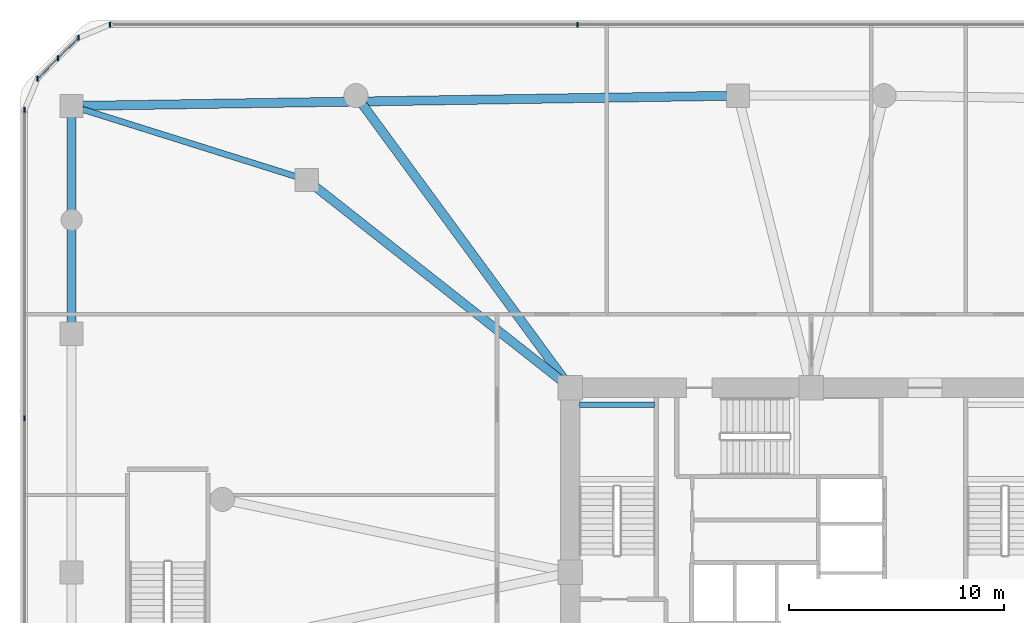
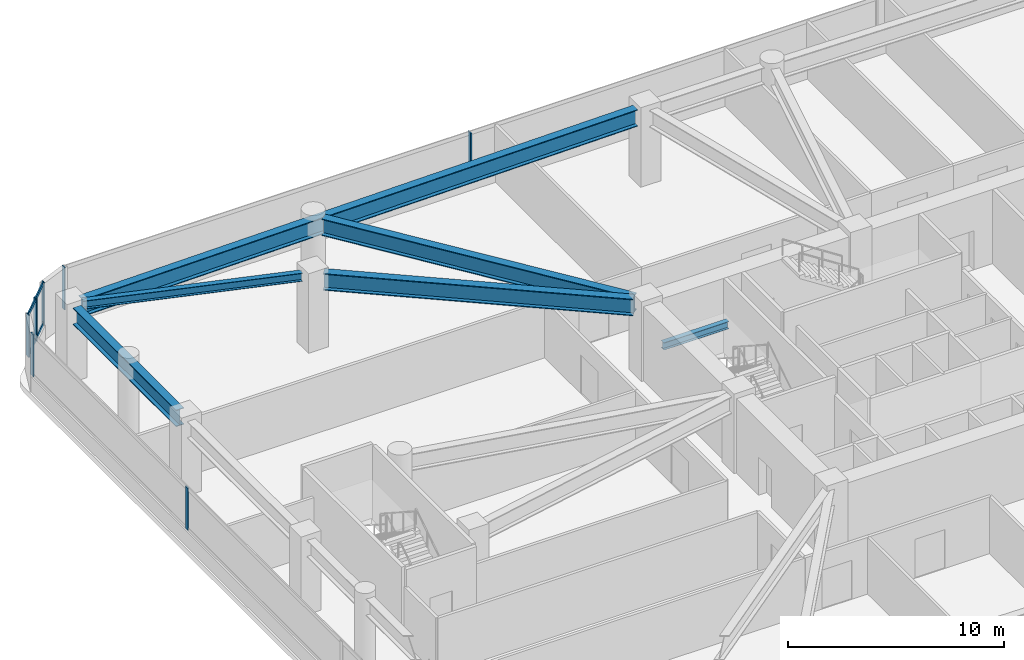
# One storey, part 6 of 21: 9 members, 6 beams, 3 elements without a shape of their own.
"""IFC4 building model written with IfcOpenShell, lengths in metres."""

from ifc_helpers import new_model, si_unit, derived_unit, direction, frame, origin, origin_2d, place, context, subcontext, project, spatial, rectangle, i_section, extrude, material, material_profile, profile_set, type_object, element, aggregate, save


model = new_model("IFC4")

# Units and contexts
model_context = context("Model", 3, precision=1e-05, world=origin(), true_north=direction((0.0, 1.0)))
body_context = subcontext(model_context, "Body", "Model", "MODEL_VIEW")
ifc_project = project(units=[si_unit("LENGTHUNIT", "METRE"), si_unit("AREAUNIT", "SQUARE_METRE"), si_unit("VOLUMEUNIT", "CUBIC_METRE"), si_unit("PLANEANGLEUNIT", "RADIAN"), si_unit("MASSUNIT", "GRAM", prefix="KILO"), derived_unit("THERMALTRANSMITTANCEUNIT", [(si_unit("POWERUNIT", "WATT"), 1), (si_unit("LENGTHUNIT", "METRE"), -2), (si_unit("THERMODYNAMICTEMPERATUREUNIT", "KELVIN"), -1)])], contexts=[model_context])

# Site, building, storey
site_placement = place(None, origin())
site = spatial("IfcSite", under=ifc_project, at=site_placement, CompositionType="ELEMENT")
building_placement = place(site_placement, origin())
building = spatial("IfcBuilding", under=site, at=building_placement, Name="Koralith Skygarden Medical Center", CompositionType="ELEMENT")
storey_placement = place(building_placement, frame((0.0, 0.0, 5.39990234375)))
storey = spatial("IfcBuildingStorey", under=building, at=storey_placement, Name="L01", CompositionType="ELEMENT", Elevation=5.39990234375)

# Curtain wall, members
ifc_material_1 = material(Name="Clear Laminated Glass", Category="glass")
curtain_wall_type = type_object("IfcCurtainWallType", Name="CW-1 Transit & Podium Acoustic Curtain Wall", PredefinedType="NOTDEFINED", material=ifc_material_1)
curtain_wall_1_placement = place(storey_placement, origin())
curtain_wall_1 = element("IfcCurtainWall", 1, at=curtain_wall_1_placement, inside=storey, type_object=curtain_wall_type, Name="Curtain Wall CW-L01-N", PredefinedType="NOTDEFINED")
ifc_material_2 = material(Name="Aluminium 6063-T6", Category="aluminium")
ifc_material_profile_1 = material_profile(ifc_material_2, rectangle(XDim=0.068115234375, YDim=0.239990234375, at=origin_2d()), Name="MUL68X240")
ifc_profile_set_1 = profile_set([ifc_material_profile_1], Name="Aluminium 6063-T6")
member_type_1 = type_object("IfcMemberType", Name="CW-1 Extruded Mullion 68x240", PredefinedType="MULLION", material=ifc_profile_set_1)
member_1_placement = place(storey_placement, frame((26.1259765625, 51.3798828125, 0.85009765625), z_axis=(0.0, 0.0, 1.0), x_axis=(1.0, 0.0, 0.0)))
member_1 = element("IfcMember", 2, at=member_1_placement, type_object=member_type_1, Name="CW-L01-N Mullion 3", PredefinedType="MULLION", context=body_context, shape_type="SweptSolid", body=[
    extrude(rectangle(XDim=0.068115234375, YDim=0.239990234375, at=origin_2d()), origin(), (0.0, 0.0, 1.0), 2.389892578125),
])
member_2_placement = place(storey_placement, frame((4.37890625, 51.3798828125, 0.85009765625), z_axis=(0.0, 0.0, 1.0), x_axis=(1.0, 0.0, 0.0)))
member_2 = element("IfcMember", 3, at=member_2_placement, type_object=member_type_1, Name="CW-L01-N Mullion 4", PredefinedType="MULLION", context=body_context, shape_type="SweptSolid", body=[
    extrude(rectangle(XDim=0.068115234375, YDim=0.239990234375, at=origin_2d()), origin(), (0.0, 0.0, 1.0), 2.389892578125),
])
aggregate(curtain_wall_1, [member_1, member_2])

curtain_wall_2_placement = place(storey_placement, origin())
curtain_wall_2 = element("IfcCurtainWall", 4, at=curtain_wall_2_placement, inside=storey, type_object=curtain_wall_type, Name="Curtain Wall CW-L01-NW", PredefinedType="NOTDEFINED")
member_3_placement = place(storey_placement, frame((2.927978515625, 50.779052734375, 0.85009765625), z_axis=(0.0, 0.0, 1.0), x_axis=(1.0, 0.0, 0.0)))
member_3 = element("IfcMember", 5, at=member_3_placement, type_object=member_type_1, Name="CW-L01-NW Mullion 1", PredefinedType="MULLION", context=body_context, shape_type="SweptSolid", body=[
    extrude(rectangle(XDim=0.068115234375, YDim=0.239990234375, at=origin_2d()), origin(), (0.0, 0.0, 1.0), 2.389892578125),
])
member_4_placement = place(storey_placement, frame((1.97412109375, 49.825927734375, 0.85009765625), z_axis=(0.0, 0.0, 1.0), x_axis=(1.0, 0.0, 0.0)))
member_4 = element("IfcMember", 6, at=member_4_placement, type_object=member_type_1, Name="CW-L01-NW Mullion 2", PredefinedType="MULLION", context=body_context, shape_type="SweptSolid", body=[
    extrude(rectangle(XDim=0.068115234375, YDim=0.239990234375, at=origin_2d()), origin(), (0.0, 0.0, 1.0), 2.389892578125),
])
member_5_placement = place(storey_placement, frame((1.02099609375, 48.8720703125, 0.85009765625), z_axis=(0.0, 0.0, 1.0), x_axis=(1.0, 0.0, 0.0)))
member_5 = element("IfcMember", 7, at=member_5_placement, type_object=member_type_1, Name="CW-L01-NW Mullion 3", PredefinedType="MULLION", context=body_context, shape_type="SweptSolid", body=[
    extrude(rectangle(XDim=0.068115234375, YDim=0.239990234375, at=origin_2d()), origin(), (0.0, 0.0, 1.0), 2.389892578125),
])

curtain_wall_3_placement = place(storey_placement, origin())
curtain_wall_3 = element("IfcCurtainWall", 8, at=curtain_wall_3_placement, inside=storey, type_object=curtain_wall_type, Name="Curtain Wall CW-L01-W", PredefinedType="NOTDEFINED")
member_6_placement = place(storey_placement, frame((0.419921875, 47.4208984375, 0.85009765625), z_axis=(0.0, 0.0, 1.0), x_axis=(1.0, 0.0, 0.0)))
member_6 = element("IfcMember", 9, at=member_6_placement, type_object=member_type_1, Name="CW-L01-W Mullion 1", PredefinedType="MULLION", context=body_context, shape_type="SweptSolid", body=[
    extrude(rectangle(XDim=0.068115234375, YDim=0.239990234375, at=origin_2d()), origin(), (0.0, 0.0, 1.0), 2.389892578125),
])
member_7_placement = place(storey_placement, frame((0.419921875, 33.073974609375, 0.85009765625), z_axis=(0.0, 0.0, 1.0), x_axis=(1.0, 0.0, 0.0)))
member_7 = element("IfcMember", 10, at=member_7_placement, type_object=member_type_1, Name="CW-L01-W Mullion 2", PredefinedType="MULLION", context=body_context, shape_type="SweptSolid", body=[
    extrude(rectangle(XDim=0.068115234375, YDim=0.239990234375, at=origin_2d()), origin(), (0.0, 0.0, 1.0), 2.389892578125),
])
aggregate(curtain_wall_3, [member_6, member_7])

# Member
ifc_material_profile_2 = material_profile(ifc_material_2, rectangle(XDim=0.06298828125, YDim=0.216064453125, at=origin_2d()), Name="TRN63X216")
ifc_profile_set_2 = profile_set([ifc_material_profile_2], Name="Aluminium 6063-T6")
member_type_2 = type_object("IfcMemberType", Name="CW-1 Thermal Transom 63x216", PredefinedType="USERDEFINED", material=ifc_profile_set_2)
member_8_placement = place(storey_placement, frame((2.927978515625, 50.779052734375, 0.900146484375), z_axis=(-0.707106781187, -0.707106781187, 0.0), x_axis=(0.707106781187, -0.707106781187, 0.0)))
member_8 = element("IfcMember", 11, at=member_8_placement, type_object=member_type_2, Name="CW-L01-NW Transom 1", ObjectType="TRANSOM", PredefinedType="USERDEFINED", context=body_context, shape_type="SweptSolid", body=[
    extrude(rectangle(XDim=0.06298828125, YDim=0.216064453125, at=origin_2d()), origin(), (0.0, 0.0, 1.0), 2.69677734375),
])

member_9_placement = place(storey_placement, frame((2.927978515625, 50.779052734375, 3.190185546875), z_axis=(-0.707106781187, -0.707106781187, 0.0), x_axis=(0.707106781187, -0.707106781187, 0.0)))
member_9 = element("IfcMember", 12, at=member_9_placement, type_object=member_type_2, Name="CW-L01-NW Transom 2", ObjectType="TRANSOM", PredefinedType="USERDEFINED", context=body_context, shape_type="SweptSolid", body=[
    extrude(rectangle(XDim=0.06298828125, YDim=0.216064453125, at=origin_2d()), origin(), (0.0, 0.0, 1.0), 2.69677734375),
])

aggregate(curtain_wall_2, [member_3, member_4, member_5, member_8, member_9])

# Beams
ifc_material_3 = material(Name="Steel ASTM A992 Grade 50", Category="steel")
ifc_material_profile_3 = material_profile(ifc_material_3, i_section(OverallWidth=0.260009765625, OverallDepth=0.4150390625, WebThickness=0.010009765625, FlangeThickness=0.016845703125, at=origin_2d()), Name="W16X67")
ifc_profile_set_3 = profile_set([ifc_material_profile_3], Name="Steel ASTM A992 Grade 50")
beam_type_1 = type_object("IfcBeamType", Name="Clinical Floor Joist W16X67", PredefinedType="JOIST", material=ifc_profile_set_3)
beam_1_placement = place(storey_placement, frame((26.22998046875, 33.699951171875, 1.843017578125), z_axis=(1.0, 0.0, 0.0), x_axis=(0.0, 1.0, 0.0)))
element("IfcBeam", 13, at=beam_1_placement, inside=storey, type_object=beam_type_1, Name="L01 Stair ST1 Half-Landing Support Beam 1B", PredefinedType="JOIST", context=body_context, shape_type="SweptSolid", body=[
    extrude(i_section(OverallWidth=0.260009765625, OverallDepth=0.4150390625, WebThickness=0.010009765625, FlangeThickness=0.016845703125, at=origin_2d()), origin(), (0.0, 0.0, 1.0), 3.489990234375),
])
ifc_material_profile_4 = material_profile(ifc_material_3, i_section(OverallWidth=0.423095703125, OverallDepth=0.947998046875, WebThickness=0.02392578125, FlangeThickness=0.042724609375, at=origin_2d()), Name="W36X302")
ifc_profile_set_4 = profile_set([ifc_material_profile_4], Name="Steel ASTM A992 Grade 50")
beam_type_2 = type_object("IfcBeamType", Name="Podium Concourse Girder W36X302", PredefinedType="BEAM", material=ifc_profile_set_4)
beam_2_placement = place(storey_placement, frame((33.080078125, 48.072021484375, 3.72607421875), z_axis=(-0.999880035237, -0.015489194131, 0.0), x_axis=(0.015489194131, -0.999880035237, 0.0)))
element("IfcBeam", 14, at=beam_2_placement, inside=storey, type_object=beam_type_2, Name="L01 Podium Perimeter Beam PB-11", PredefinedType="BEAM", context=body_context, shape_type="SweptSolid", body=[
    extrude(i_section(OverallWidth=0.423095703125, OverallDepth=0.947998046875, WebThickness=0.02392578125, FlangeThickness=0.042724609375, at=origin_2d()), origin(), (0.0, 0.0, 1.0), 29.963623046875),
])
beam_3_placement = place(storey_placement, frame((2.60009765625, 47.080078125, 3.72607421875), z_axis=(0.0, -1.0, 0.0), x_axis=(1.0, 0.0, 0.0)))
element("IfcBeam", 15, at=beam_3_placement, inside=storey, type_object=beam_type_2, Name="L01 Podium Perimeter Beam PB-12", PredefinedType="BEAM", context=body_context, shape_type="SweptSolid", body=[
    extrude(i_section(OverallWidth=0.423095703125, OverallDepth=0.947998046875, WebThickness=0.02392578125, FlangeThickness=0.042724609375, at=origin_2d()), origin(), (0.0, 0.0, 1.0), 9.56005859375),
])
beam_4_placement = place(storey_placement, frame((25.468994140625, 34.950927734375, 3.72607421875), z_axis=(-0.591712691958, 0.806148925556, 0.0), x_axis=(-0.806148925556, -0.591712691958, 0.0)))
element("IfcBeam", 16, at=beam_4_placement, inside=storey, type_object=beam_type_2, Name="L01 Podium Radial Girder PRG-14", PredefinedType="BEAM", context=body_context, shape_type="SweptSolid", body=[
    extrude(i_section(OverallWidth=0.423095703125, OverallDepth=0.947998046875, WebThickness=0.02392578125, FlangeThickness=0.042724609375, at=origin_2d()), origin(), (0.0, 0.0, 1.0), 15.766357421875),
])
beam_5_placement = place(storey_placement, frame((25.360107421875, 34.846923828125, 3.72607421875), z_axis=(-0.785504791859, 0.618855574401, 0.0), x_axis=(-0.618855574401, -0.785504791859, 0.0)))
element("IfcBeam", 17, at=beam_5_placement, inside=storey, type_object=beam_type_2, Name="L01 Podium Radial Girder PRG-15", PredefinedType="BEAM", context=body_context, shape_type="SweptSolid", body=[
    extrude(i_section(OverallWidth=0.423095703125, OverallDepth=0.947998046875, WebThickness=0.02392578125, FlangeThickness=0.042724609375, at=origin_2d()), origin(), (0.0, 0.0, 1.0), 14.5283203125),
])
ifc_material_profile_5 = material_profile(ifc_material_3, i_section(OverallWidth=0.281982421875, OverallDepth=0.467041015625, WebThickness=0.01220703125, FlangeThickness=0.01953125, at=origin_2d()), Name="W18X86")
ifc_profile_set_5 = profile_set([ifc_material_profile_5], Name="Steel ASTM A992 Grade 50")
beam_type_3 = type_object("IfcBeamType", Name="Podium Floor Joist W18X86", PredefinedType="JOIST", material=ifc_profile_set_5)
beam_6_placement = place(storey_placement, frame((13.0439453125, 44.31591796875, 3.967041015625), z_axis=(-0.95394817002, 0.29997148017, 0.0), x_axis=(-0.29997148017, -0.95394817002, 0.0)))
element("IfcBeam", 18, at=beam_6_placement, inside=storey, type_object=beam_type_3, Name="L01 Podium Floor Joist PJ-02", PredefinedType="JOIST", context=body_context, shape_type="SweptSolid", body=[
    extrude(i_section(OverallWidth=0.281982421875, OverallDepth=0.467041015625, WebThickness=0.01220703125, FlangeThickness=0.01953125, at=origin_2d()), origin(), (0.0, 0.0, 1.0), 10.42822265625),
])

save(model, "model.ifc")
